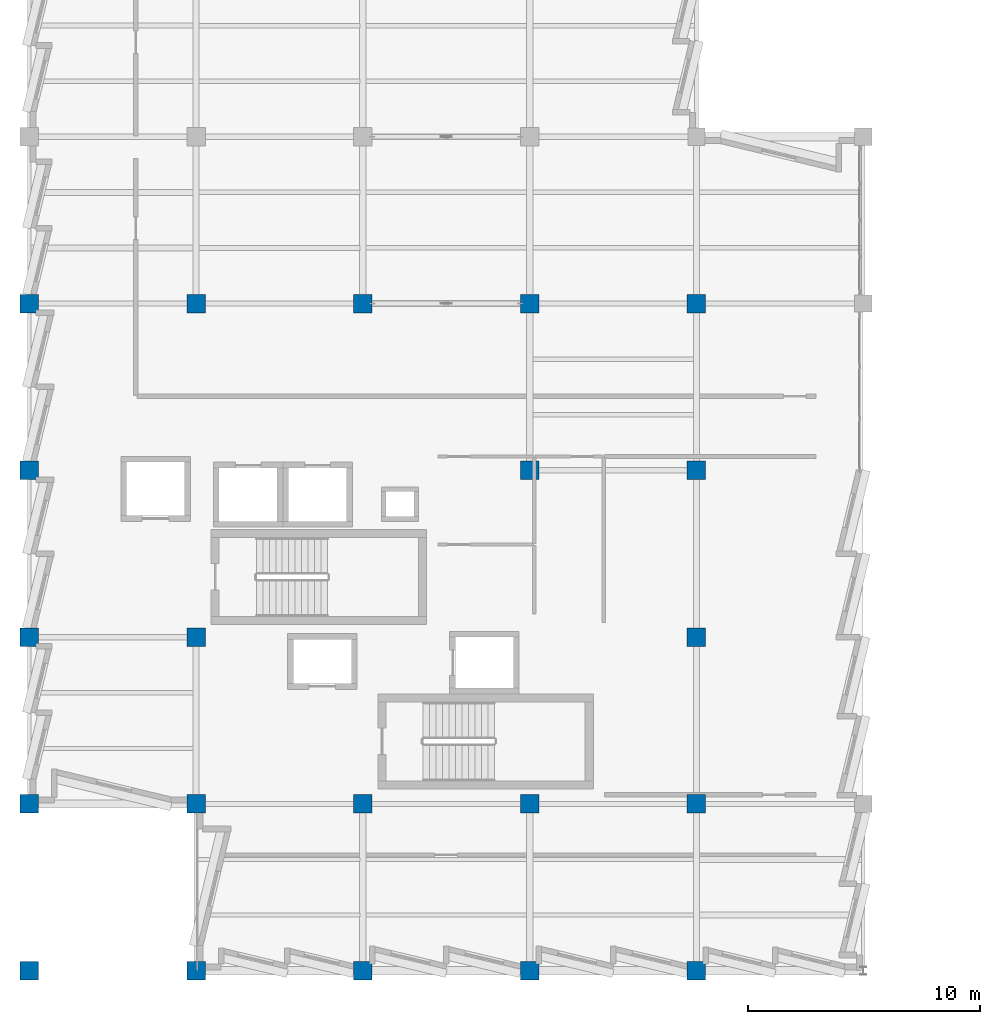
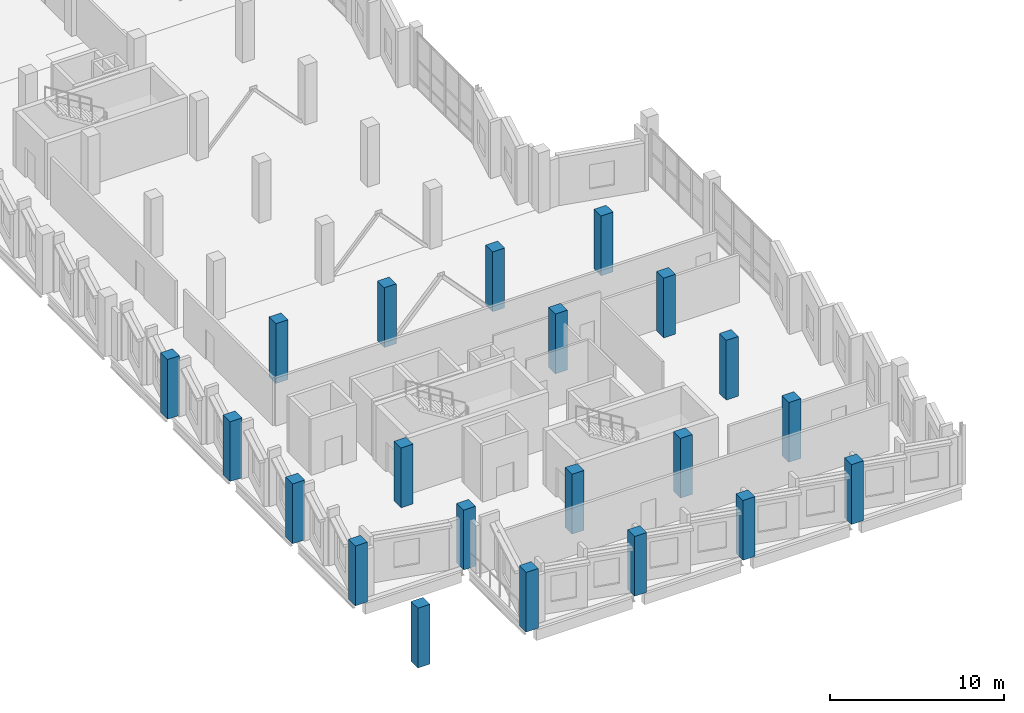
# One storey, part 1 of 94: 21 columns.
"""IFC4 building model written with IfcOpenShell, lengths in metres."""

from ifc_helpers import new_model, si_unit, direction, frame, origin, origin_2d, place, context, subcontext, project, spatial, rectangle, extrude, material, material_profile, profile_set, type_object, element, save


model = new_model("IFC4")

# Units and contexts
model_context = context("Model", 3, precision=1e-05, world=origin(), true_north=direction((0.0, 1.0)))
body_context = subcontext(model_context, "Body", "Model", "MODEL_VIEW")
ifc_project = project(units=[si_unit("LENGTHUNIT", "METRE"), si_unit("AREAUNIT", "SQUARE_METRE"), si_unit("VOLUMEUNIT", "CUBIC_METRE"), si_unit("PLANEANGLEUNIT", "RADIAN"), si_unit("MASSUNIT", "GRAM", prefix="KILO")], contexts=[model_context])

# Site, building, storey
site_placement = place(None, origin())
site = spatial("IfcSite", under=ifc_project, at=site_placement, CompositionType="ELEMENT")
building_placement = place(site_placement, origin())
building = spatial("IfcBuilding", under=site, at=building_placement, Name="Kalmorath City Hall", CompositionType="ELEMENT")
storey_placement = place(building_placement, frame((0.0, 0.0, 14.699951171875)))
storey = spatial("IfcBuildingStorey", under=building, at=storey_placement, Name="L03", CompositionType="ELEMENT", Elevation=14.699951171875)

# Columns
ifc_material = material(Name="Concrete C50/60", Category="concrete")
ifc_material_profile = material_profile(ifc_material, rectangle(XDim=0.800048828125, YDim=0.800048828125, at=origin_2d()), Name="RC-COL-800X800")
ifc_profile_set = profile_set([ifc_material_profile], Name="Concrete C50/60")
column_type = type_object("IfcColumnType", Name="Concrete column 800x800", PredefinedType="COLUMN", material=ifc_profile_set)
for number, where, z_axis, x_axis, name in (
    (1, (0.0, 0.0, 0.0), (0.0, 0.0, 1.0), (1.0, 0.0, 0.0), "L03 column C2 (1/1)"),
    (2, (0.0, 7.199951171875, 0.0), (0.0, 0.0, 1.0), (1.0, 0.0, 0.0), "L03 column C2 (1/2)"),
    (3, (0.0, 14.39990234375, 0.0), (0.0, 0.0, 1.0), (1.0, 0.0, 0.0), "L03 column C2 (1/3)"),
    (4, (0.0, 21.60009765625, 0.0), (0.0, 0.0, 1.0), (1.0, 0.0, 0.0), "L03 column C2 (1/4)"),
    (5, (0.0, 28.800048828125, 0.0), (0.0, 0.0, 1.0), (1.0, 0.0, 0.0), "L03 column C2 (1/5)"),
    (6, (7.199951171875, 0.0, 0.0), (0.0, 0.0, 1.0), (1.0, 0.0, 0.0), "L03 column C2 (2/1)"),
    (7, (7.199951171875, 7.199951171875, 0.0), (0.0, 0.0, 1.0), (1.0, 0.0, 0.0), "L03 column C2 (2/2)"),
    (8, (7.199951171875, 14.39990234375, 0.0), (0.0, 0.0, 1.0), (1.0, 0.0, 0.0), "L03 column C2 (2/3)"),
    (9, (7.199951171875, 28.800048828125, 0.0), (0.0, 0.0, 1.0), (1.0, 0.0, 0.0), "L03 column C2 (2/5)"),
    (10, (14.39990234375, 0.0, 0.0), (0.0, 0.0, 1.0), (1.0, 0.0, 0.0), "L03 column C2 (3/1)"),
    (11, (14.39990234375, 7.199951171875, 0.0), (0.0, 0.0, 1.0), (1.0, 0.0, 0.0), "L03 column C2 (3/2)"),
    (12, (14.39990234375, 28.800048828125, 0.0), (0.0, 0.0, 1.0), (1.0, 0.0, 0.0), "L03 column C2 (3/5)"),
    (13, (21.60009765625, 0.0, 0.0), (0.0, 0.0, 1.0), (1.0, 0.0, 0.0), "L03 column C2 (4/1)"),
    (14, (21.60009765625, 7.199951171875, 0.0), (0.0, 0.0, 1.0), (1.0, 0.0, 0.0), "L03 column C2 (4/2)"),
    (15, (21.60009765625, 21.60009765625, 0.0), (0.0, 0.0, 1.0), (1.0, 0.0, 0.0), "L03 column C2 (4/4)"),
    (16, (21.60009765625, 28.800048828125, 0.0), (0.0, 0.0, 1.0), (1.0, 0.0, 0.0), "L03 column C2 (4/5)"),
    (17, (28.800048828125, 0.0, 0.0), (0.0, 0.0, 1.0), (1.0, 0.0, 0.0), "L03 column C2 (5/1)"),
    (18, (28.800048828125, 7.199951171875, 0.0), (0.0, 0.0, 1.0), (1.0, 0.0, 0.0), "L03 column C2 (5/2)"),
    (19, (28.800048828125, 14.39990234375, 0.0), (0.0, 0.0, 1.0), (1.0, 0.0, 0.0), "L03 column C2 (5/3)"),
    (20, (28.800048828125, 21.60009765625, 0.0), (0.0, 0.0, 1.0), (1.0, 0.0, 0.0), "L03 column C2 (5/4)"),
    (21, (28.800048828125, 28.800048828125, 0.0), (0.0, 0.0, 1.0), (1.0, 0.0, 0.0), "L03 column C2 (5/5)"),
):
    element("IfcColumn", number, at=place(storey_placement, frame(where, z_axis=z_axis, x_axis=x_axis)), inside=storey, type_object=column_type, Name=name, PredefinedType="COLUMN", context=body_context, shape_type="SweptSolid", body=[
        extrude(rectangle(XDim=0.800048828125, YDim=0.800048828125, at=origin_2d()), origin(), (0.0, 0.0, 1.0), 4.199951171875),
    ])

save(model, "model.ifc")
